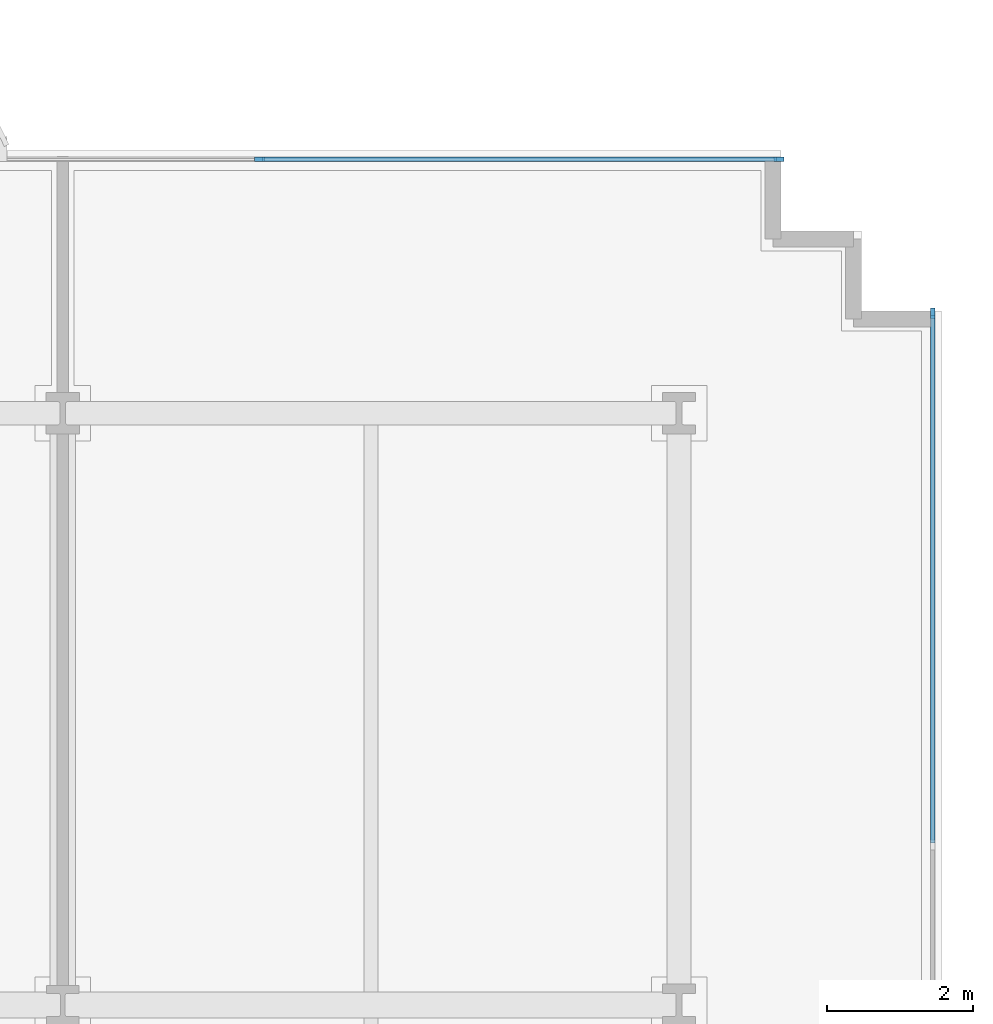
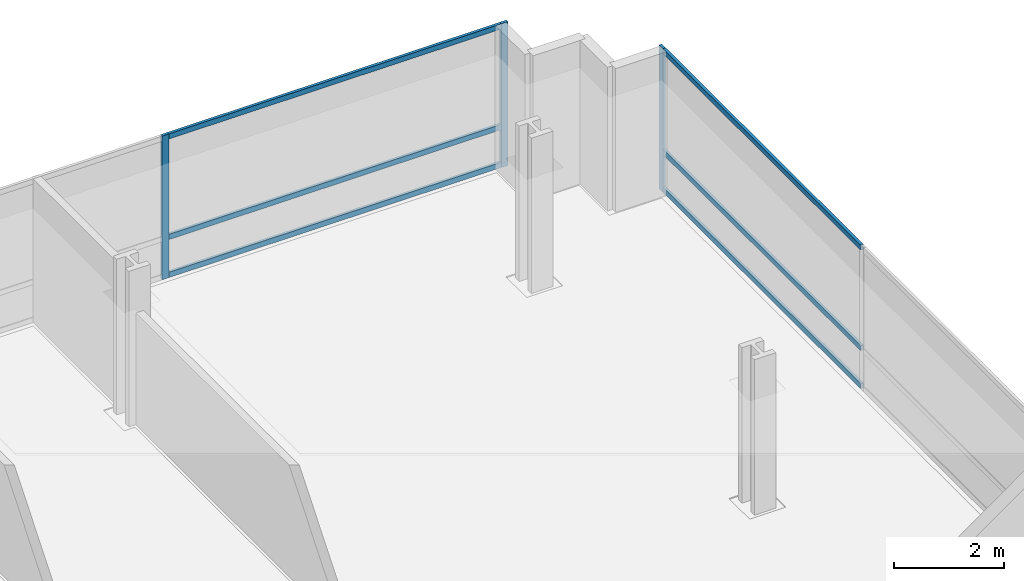
# One storey, part 11 of 21: 9 members, 2 elements without a shape of their own.
"""IFC4 building model written with IfcOpenShell, lengths in metres."""

from ifc_helpers import new_model, si_unit, direction, frame, origin, origin_2d, place, context, subcontext, project, spatial, rectangle, extrude, material, material_profile, profile_set, type_object, element, aggregate, save


model = new_model("IFC4")

# Units and contexts
model_context = context("Model", 3, precision=1e-05, world=origin(), true_north=direction((0.0, 1.0)))
body_context = subcontext(model_context, "Body", "Model", "MODEL_VIEW")
ifc_project = project(units=[si_unit("LENGTHUNIT", "METRE"), si_unit("AREAUNIT", "SQUARE_METRE"), si_unit("VOLUMEUNIT", "CUBIC_METRE"), si_unit("PLANEANGLEUNIT", "RADIAN"), si_unit("MASSUNIT", "GRAM", prefix="KILO")], contexts=[model_context])

# Site, building, storey
site_placement = place(None, origin())
site = spatial("IfcSite", under=ifc_project, at=site_placement, CompositionType="ELEMENT")
building_placement = place(site_placement, origin())
building = spatial("IfcBuilding", under=site, at=building_placement, Name="Solmavex Isthmus Hotel", CompositionType="ELEMENT")
storey_placement = place(building_placement, frame((0.0, 0.0, 54.0)))
storey = spatial("IfcBuildingStorey", under=building, at=storey_placement, Name="L14", CompositionType="ELEMENT", Elevation=54.0)

# Curtain wall, members
ifc_material = material(Name="Aluminium alloy 6063-T6", Category="aluminium")
curtain_wall_type = type_object("IfcCurtainWallType", Name="CW-SYS-06", PredefinedType="NOTDEFINED", material=ifc_material)
curtain_wall_1_placement = place(storey_placement, origin())
curtain_wall_1 = element("IfcCurtainWall", 1, at=curtain_wall_1_placement, inside=storey, type_object=curtain_wall_type, Name="Stick Curtain Wall CWL-L14-N3", PredefinedType="NOTDEFINED")
ifc_material_profile_1 = material_profile(ifc_material, rectangle(XDim=0.06005859375, YDim=0.139892578125, at=origin_2d()), Name="CWM-60X140")
ifc_profile_set_1 = profile_set([ifc_material_profile_1], Name="Aluminium alloy 6063-T6")
member_type_1 = type_object("IfcMemberType", Name="CW-SYS-06-MUL", PredefinedType="MULLION", material=ifc_profile_set_1)
member_1_placement = place(storey_placement, frame((20.64990234375, 20.3798828125, 0.0), z_axis=(0.0, 0.0, 1.0), x_axis=(0.0, 1.0, 0.0)))
member_1 = element("IfcMember", 2, at=member_1_placement, type_object=member_type_1, Name="CW-06 mullion 4", PredefinedType="MULLION", context=body_context, shape_type="SweptSolid", body=[
    extrude(rectangle(XDim=0.06005859375, YDim=0.139892578125, at=origin_2d()), origin(), (0.0, 0.0, 1.0), 3.18994140625),
])
member_2_placement = place(storey_placement, frame((27.77001953125, 20.3798828125, 0.0), z_axis=(0.0, 0.0, 1.0), x_axis=(0.0, 1.0, 0.0)))
member_2 = element("IfcMember", 3, at=member_2_placement, type_object=member_type_1, Name="CW-06 mullion 5", PredefinedType="MULLION", context=body_context, shape_type="SweptSolid", body=[
    extrude(rectangle(XDim=0.06005859375, YDim=0.139892578125, at=origin_2d()), origin(), (0.0, 0.0, 1.0), 3.18994140625),
])

# Curtain wall, member
curtain_wall_2_placement = place(storey_placement, origin())
curtain_wall_2 = element("IfcCurtainWall", 4, at=curtain_wall_2_placement, inside=storey, type_object=curtain_wall_type, Name="Stick Curtain Wall CWL-L14-E1", PredefinedType="NOTDEFINED")
member_3_placement = place(storey_placement, frame((29.8798828125, 18.27001953125, 0.0), z_axis=(0.0, 0.0, 1.0), x_axis=(-1.0, 0.0, 0.0)))
member_3 = element("IfcMember", 5, at=member_3_placement, type_object=member_type_1, Name="CW-06 mullion 6", PredefinedType="MULLION", context=body_context, shape_type="SweptSolid", body=[
    extrude(rectangle(XDim=0.06005859375, YDim=0.139892578125, at=origin_2d()), origin(), (0.0, 0.0, 1.0), 3.18994140625),
])

# Member
ifc_material_profile_2 = material_profile(ifc_material, rectangle(XDim=0.06005859375, YDim=0.114990234375, at=origin_2d()), Name="CWT-60X115")
ifc_profile_set_2 = profile_set([ifc_material_profile_2], Name="Aluminium alloy 6063-T6")
member_type_2 = type_object("IfcMemberType", Name="CW-SYS-06-TRN", PredefinedType="USERDEFINED", material=ifc_profile_set_2)
member_4_placement = place(storey_placement, frame((20.679931640625, 20.3798828125, 0.0576171875), z_axis=(1.0, 0.0, 0.0), x_axis=(0.0, 1.0, 0.0)))
member_4 = element("IfcMember", 6, at=member_4_placement, type_object=member_type_2, Name="CW-06 transom 4.1", ObjectType="TRANSOM", PredefinedType="USERDEFINED", context=body_context, shape_type="SweptSolid", body=[
    extrude(rectangle(XDim=0.06005859375, YDim=0.114990234375, at=origin_2d()), origin(), (0.0, 0.0, 1.0), 7.06005859375),
])

member_5_placement = place(storey_placement, frame((20.679931640625, 20.3798828125, 0.89990234375), z_axis=(1.0, 0.0, 0.0), x_axis=(0.0, 1.0, 0.0)))
member_5 = element("IfcMember", 7, at=member_5_placement, type_object=member_type_2, Name="CW-06 transom 4.2", ObjectType="TRANSOM", PredefinedType="USERDEFINED", context=body_context, shape_type="SweptSolid", body=[
    extrude(rectangle(XDim=0.06005859375, YDim=0.114990234375, at=origin_2d()), origin(), (0.0, 0.0, 1.0), 7.06005859375),
])

member_6_placement = place(storey_placement, frame((20.679931640625, 20.3798828125, 3.132568359375), z_axis=(1.0, 0.0, 0.0), x_axis=(0.0, 1.0, 0.0)))
member_6 = element("IfcMember", 8, at=member_6_placement, type_object=member_type_2, Name="CW-06 transom 4.3", ObjectType="TRANSOM", PredefinedType="USERDEFINED", context=body_context, shape_type="SweptSolid", body=[
    extrude(rectangle(XDim=0.06005859375, YDim=0.114990234375, at=origin_2d()), origin(), (0.0, 0.0, 1.0), 7.06005859375),
])

aggregate(curtain_wall_1, [member_1, member_2, member_4, member_5, member_6])

member_7_placement = place(storey_placement, frame((29.8798828125, 11.010009765625, 0.0576171875), z_axis=(0.0, 1.0, 0.0), x_axis=(-1.0, 0.0, 0.0)))
member_7 = element("IfcMember", 9, at=member_7_placement, type_object=member_type_2, Name="CW-06 transom 5.1", ObjectType="TRANSOM", PredefinedType="USERDEFINED", context=body_context, shape_type="SweptSolid", body=[
    extrude(rectangle(XDim=0.06005859375, YDim=0.114990234375, at=origin_2d()), origin(), (0.0, 0.0, 1.0), 7.22998046875),
])

member_8_placement = place(storey_placement, frame((29.8798828125, 11.010009765625, 0.89990234375), z_axis=(0.0, 1.0, 0.0), x_axis=(-1.0, 0.0, 0.0)))
member_8 = element("IfcMember", 10, at=member_8_placement, type_object=member_type_2, Name="CW-06 transom 5.2", ObjectType="TRANSOM", PredefinedType="USERDEFINED", context=body_context, shape_type="SweptSolid", body=[
    extrude(rectangle(XDim=0.06005859375, YDim=0.114990234375, at=origin_2d()), origin(), (0.0, 0.0, 1.0), 7.22998046875),
])

member_9_placement = place(storey_placement, frame((29.8798828125, 11.010009765625, 3.132568359375), z_axis=(0.0, 1.0, 0.0), x_axis=(-1.0, 0.0, 0.0)))
member_9 = element("IfcMember", 11, at=member_9_placement, type_object=member_type_2, Name="CW-06 transom 5.3", ObjectType="TRANSOM", PredefinedType="USERDEFINED", context=body_context, shape_type="SweptSolid", body=[
    extrude(rectangle(XDim=0.06005859375, YDim=0.114990234375, at=origin_2d()), origin(), (0.0, 0.0, 1.0), 7.22998046875),
])

aggregate(curtain_wall_2, [member_3, member_7, member_8, member_9])

save(model, "model.ifc")
